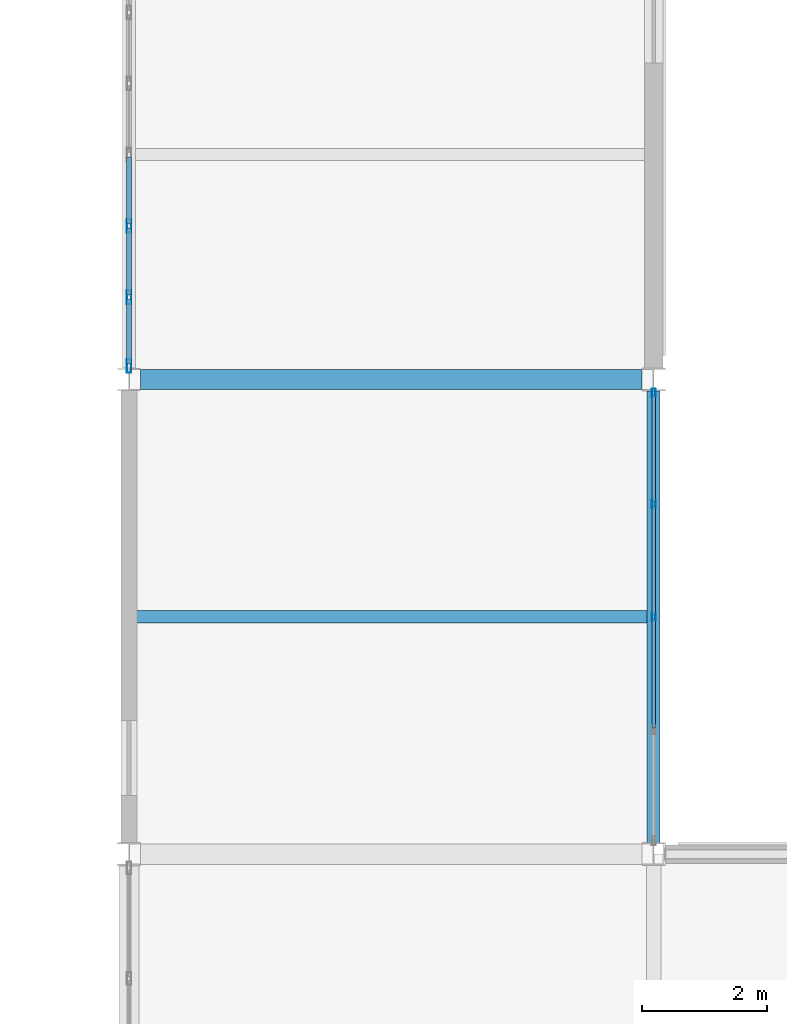
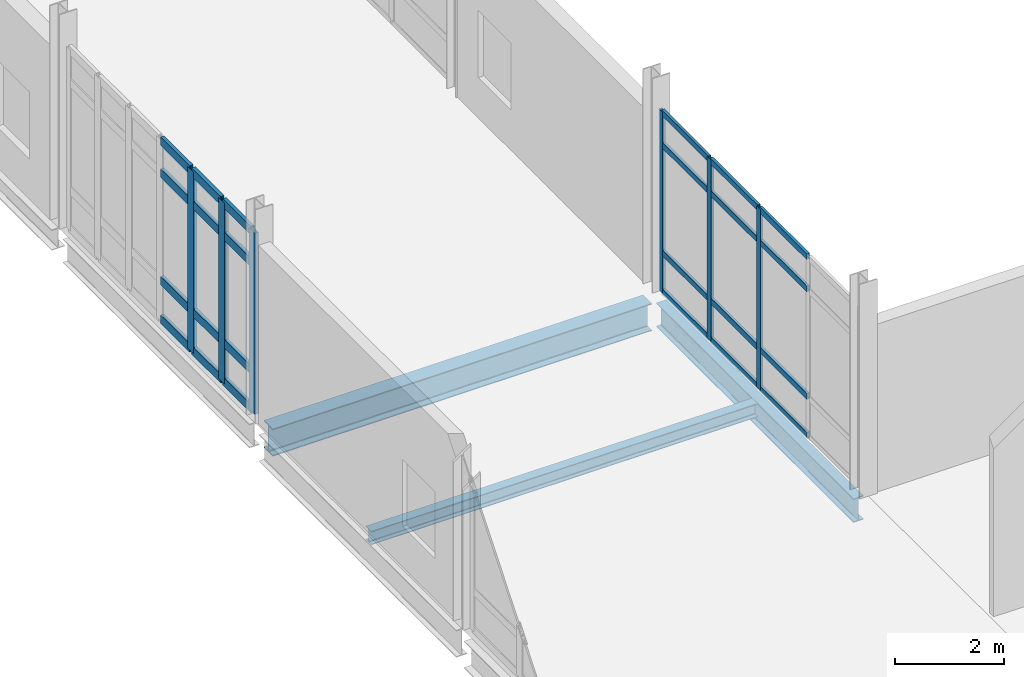
# One storey, part 76 of 186: 30 members, 3 beams, 2 elements without a shape of their own.
"""IFC4 building model written with IfcOpenShell, lengths in metres."""

from ifc_helpers import new_model, si_unit, direction, frame, origin, origin_2d, place, context, subcontext, project, spatial, hollow_rectangle, i_section, extrude, material, layer, layer_set, material_profile, profile_set, type_object, element, aggregate, save


model = new_model("IFC4")

# Units and contexts
model_context = context("Model", 3, precision=1e-05, world=origin(), true_north=direction((0.0, 1.0)))
body_context = subcontext(model_context, "Body", "Model", "MODEL_VIEW")
ifc_project = project(units=[si_unit("LENGTHUNIT", "METRE"), si_unit("AREAUNIT", "SQUARE_METRE"), si_unit("VOLUMEUNIT", "CUBIC_METRE"), si_unit("PLANEANGLEUNIT", "RADIAN"), si_unit("MASSUNIT", "GRAM", prefix="KILO")], contexts=[model_context])

# Site, building, storey
site_placement = place(None, origin())
site = spatial("IfcSite", under=ifc_project, at=site_placement, CompositionType="ELEMENT")
building_placement = place(site_placement, origin())
building = spatial("IfcBuilding", under=site, at=building_placement, Name="Calvrana Isthmian Art Gallery", CompositionType="ELEMENT")
storey_placement = place(building_placement, frame((0.0, 0.0, 5.39990234375)))
storey = spatial("IfcBuildingStorey", under=building, at=storey_placement, Name="L01", CompositionType="ELEMENT", Elevation=5.39990234375)

# Beams
ifc_material_1 = material(Name="Steel ASTM A992 Gr 50", Category="steel")
ifc_material_profile_1 = material_profile(ifc_material_1, i_section(OverallWidth=0.208984375, OverallDepth=0.532958984375, WebThickness=0.01025390625, FlangeThickness=0.015625, FilletRadius=0.02099609375, at=origin_2d()), Name="W21X62")
ifc_profile_set_1 = profile_set([ifc_material_profile_1], Name="Steel ASTM A992 Gr 50")
beam_type_1 = type_object("IfcBeamType", Name="BM-G-W21X62", PredefinedType="BEAM", material=ifc_profile_set_1)
beam_1_placement = place(storey_placement, frame((63.60009765625, 62.181396484375, -0.511474609375), z_axis=(0.0, 1.0, 0.0), x_axis=(-1.0, 0.0, 0.0)))
element("IfcBeam", 1, at=beam_1_placement, inside=storey, type_object=beam_type_1, Name="Girder Y L01 09/I-J", PredefinedType="BEAM", context=body_context, shape_type="SweptSolid", body=[
    extrude(i_section(OverallWidth=0.208984375, OverallDepth=0.532958984375, WebThickness=0.01025390625, FlangeThickness=0.015625, FilletRadius=0.02099609375, at=origin_2d()), origin(), (0.0, 0.0, 1.0), 7.234619140625),
])
ifc_material_profile_2 = material_profile(ifc_material_1, i_section(OverallWidth=0.324951171875, OverallDepth=0.612060546875, WebThickness=0.0126953125, FlangeThickness=0.01904296875, FilletRadius=0.02197265625, at=origin_2d()), Name="W24X104")
ifc_profile_set_2 = profile_set([ifc_material_profile_2], Name="Steel ASTM A992 Gr 50")
beam_type_2 = type_object("IfcBeamType", Name="BM-G-W24X104", PredefinedType="BEAM", material=ifc_profile_set_2)
beam_2_placement = place(storey_placement, frame((55.386474609375, 69.60009765625, -0.55078125), z_axis=(1.0, 0.0, 0.0), x_axis=(0.0, 1.0, 0.0)))
element("IfcBeam", 2, at=beam_2_placement, inside=storey, type_object=beam_type_2, Name="Girder X L01 08-09/J", PredefinedType="BEAM", context=body_context, shape_type="SweptSolid", body=[
    extrude(i_section(OverallWidth=0.324951171875, OverallDepth=0.612060546875, WebThickness=0.0126953125, FlangeThickness=0.01904296875, FilletRadius=0.02197265625, at=origin_2d()), origin(), (0.0, 0.0, 1.0), 8.027099609375),
])
ifc_material_profile_3 = material_profile(ifc_material_1, i_section(OverallWidth=0.202880859375, OverallDepth=0.302001953125, WebThickness=0.007568359375, FlangeThickness=0.01318359375, FilletRadius=0.01611328125, at=origin_2d()), Name="W12X40")
ifc_profile_set_3 = profile_set([ifc_material_profile_3], Name="Steel ASTM A992 Gr 50")
beam_type_3 = type_object("IfcBeamType", Name="BM-J-W12X40", PredefinedType="JOIST", material=ifc_profile_set_3)
beam_3_placement = place(storey_placement, frame((55.31396484375, 65.800048828125, -0.39599609375), z_axis=(1.0, 0.0, 0.0), x_axis=(0.0, 1.0, 0.0)))
element("IfcBeam", 3, at=beam_3_placement, inside=storey, type_object=beam_type_3, Name="Composite joist L01 bay 07-08", PredefinedType="JOIST", context=body_context, shape_type="SweptSolid", body=[
    extrude(i_section(OverallWidth=0.202880859375, OverallDepth=0.302001953125, WebThickness=0.007568359375, FlangeThickness=0.01318359375, FilletRadius=0.01611328125, at=origin_2d()), origin(), (0.0, 0.0, 1.0), 8.181640625),
])

# Curtain wall, members
ifc_material_2 = material(Name="Anodized bronze aluminium 6063-T6", Category="aluminium")
ifc_layer_1 = layer(ifc_material_2, 0.179931640625, Name="Anodized bronze aluminium 6063-T6")
ifc_layer_set_1 = layer_set([ifc_layer_1], Name="Anodized bronze aluminium 6063-T6")
curtain_wall_type_1 = type_object("IfcCurtainWallType", Name="CW-STICK-072X41", PredefinedType="NOTDEFINED", material=ifc_layer_set_1)
curtain_wall_1_placement = place(storey_placement, origin())
curtain_wall_1 = element("IfcCurtainWall", 4, at=curtain_wall_1_placement, inside=storey, type_object=curtain_wall_type_1, Name="Curtain wall CW-126", PredefinedType="NOTDEFINED")
ifc_material_profile_4 = material_profile(ifc_material_2, hollow_rectangle(XDim=0.06005859375, YDim=0.139892578125, WallThickness=0.00390625, at=origin_2d()), Name="CWM60X140")
ifc_profile_set_4 = profile_set([ifc_material_profile_4], Name="Anodized bronze aluminium 6063-T6")
member_type_1 = type_object("IfcMemberType", Name="CWM-CWM60X140", PredefinedType="MULLION", material=ifc_profile_set_4)
member_1_placement = place(storey_placement, frame((63.60009765625, 69.383544921875, 0.0), z_axis=(0.0, 0.0, 1.0), x_axis=(1.0, 0.0, 0.0)))
member_1 = element("IfcMember", 5, at=member_1_placement, type_object=member_type_1, Name="CW-126 mullion 1", PredefinedType="MULLION", context=body_context, shape_type="SweptSolid", body=[
    extrude(hollow_rectangle(XDim=0.06005859375, YDim=0.139892578125, WallThickness=0.00390625, at=origin_2d()), origin(), (0.0, 0.0, 1.0), 4.05810546875),
])
member_2_placement = place(storey_placement, frame((63.60009765625, 67.606201171875, 0.0), z_axis=(0.0, 0.0, 1.0), x_axis=(1.0, 0.0, 0.0)))
member_2 = element("IfcMember", 6, at=member_2_placement, type_object=member_type_1, Name="CW-126 mullion 2", PredefinedType="MULLION", context=body_context, shape_type="SweptSolid", body=[
    extrude(hollow_rectangle(XDim=0.06005859375, YDim=0.139892578125, WallThickness=0.00390625, at=origin_2d()), origin(), (0.0, 0.0, 1.0), 4.05810546875),
])
member_3_placement = place(storey_placement, frame((63.60009765625, 65.798828125, 0.0), z_axis=(0.0, 0.0, 1.0), x_axis=(1.0, 0.0, 0.0)))
member_3 = element("IfcMember", 7, at=member_3_placement, type_object=member_type_1, Name="CW-126 mullion 3", PredefinedType="MULLION", context=body_context, shape_type="SweptSolid", body=[
    extrude(hollow_rectangle(XDim=0.06005859375, YDim=0.139892578125, WallThickness=0.00390625, at=origin_2d()), origin(), (0.0, 0.0, 1.0), 4.05810546875),
])

ifc_layer_2 = layer(ifc_material_2, 0.179931640625, Name="Anodized bronze aluminium 6063-T6")
ifc_layer_set_2 = layer_set([ifc_layer_2], Name="Anodized bronze aluminium 6063-T6")
curtain_wall_type_2 = type_object("IfcCurtainWallType", Name="CW-STICK-068X41", PredefinedType="NOTDEFINED", material=ifc_layer_set_2)
curtain_wall_2_placement = place(storey_placement, origin())
curtain_wall_2 = element("IfcCurtainWall", 8, at=curtain_wall_2_placement, inside=storey, type_object=curtain_wall_type_2, Name="Curtain wall CW-124", PredefinedType="NOTDEFINED")
ifc_material_profile_5 = material_profile(ifc_material_2, hollow_rectangle(XDim=0.074951171875, YDim=0.219970703125, WallThickness=0.0048828125, at=origin_2d()), Name="CWM75X220")
ifc_profile_set_5 = profile_set([ifc_material_profile_5], Name="Anodized bronze aluminium 6063-T6")
member_type_2 = type_object("IfcMemberType", Name="CWM-CWM75X220", PredefinedType="MULLION", material=ifc_profile_set_5)
member_4_placement = place(storey_placement, frame((55.199951171875, 69.8154296875, 0.0), z_axis=(0.0, 0.0, 1.0), x_axis=(-1.0, 0.0, 0.0)))
member_4 = element("IfcMember", 9, at=member_4_placement, type_object=member_type_2, Name="CW-124 mullion 1", PredefinedType="MULLION", context=body_context, shape_type="SweptSolid", body=[
    extrude(hollow_rectangle(XDim=0.074951171875, YDim=0.219970703125, WallThickness=0.0048828125, at=origin_2d()), origin(), (0.0, 0.0, 1.0), 4.05810546875),
])
member_5_placement = place(storey_placement, frame((55.199951171875, 70.91796875, 0.0), z_axis=(0.0, 0.0, 1.0), x_axis=(-1.0, 0.0, 0.0)))
member_5 = element("IfcMember", 10, at=member_5_placement, type_object=member_type_2, Name="CW-124 mullion 2", PredefinedType="MULLION", context=body_context, shape_type="SweptSolid", body=[
    extrude(hollow_rectangle(XDim=0.074951171875, YDim=0.219970703125, WallThickness=0.0048828125, at=origin_2d()), origin(), (0.0, 0.0, 1.0), 4.05810546875),
])
member_6_placement = place(storey_placement, frame((55.199951171875, 72.05810546875, 0.0), z_axis=(0.0, 0.0, 1.0), x_axis=(-1.0, 0.0, 0.0)))
member_6 = element("IfcMember", 11, at=member_6_placement, type_object=member_type_2, Name="CW-124 mullion 3", PredefinedType="MULLION", context=body_context, shape_type="SweptSolid", body=[
    extrude(hollow_rectangle(XDim=0.074951171875, YDim=0.219970703125, WallThickness=0.0048828125, at=origin_2d()), origin(), (0.0, 0.0, 1.0), 4.05810546875),
])

# Member
ifc_material_profile_6 = material_profile(ifc_material_2, hollow_rectangle(XDim=0.06005859375, YDim=0.1298828125, WallThickness=0.00390625, at=origin_2d()), Name="CWT60X130")
ifc_profile_set_6 = profile_set([ifc_material_profile_6], Name="Anodized bronze aluminium 6063-T6")
member_type_3 = type_object("IfcMemberType", Name="CWT-CWT60X130", PredefinedType="USERDEFINED", material=ifc_profile_set_6)
member_7_placement = place(storey_placement, frame((63.60009765625, 69.353515625, 0.030029296875), z_axis=(0.0, -1.0, 0.0), x_axis=(1.0, 0.0, 0.0)))
member_7 = element("IfcMember", 12, at=member_7_placement, type_object=member_type_3, Name="CW-126 transom 1.1", ObjectType="TRANSOM", PredefinedType="USERDEFINED", context=body_context, shape_type="SweptSolid", body=[
    extrude(hollow_rectangle(XDim=0.06005859375, YDim=0.1298828125, WallThickness=0.00390625, at=origin_2d()), origin(), (0.0, 0.0, 1.0), 1.71728515625),
])

member_8_placement = place(storey_placement, frame((63.60009765625, 69.353515625, 0.900146484375), z_axis=(0.0, -1.0, 0.0), x_axis=(1.0, 0.0, 0.0)))
member_8 = element("IfcMember", 13, at=member_8_placement, type_object=member_type_3, Name="CW-126 transom 1.2", ObjectType="TRANSOM", PredefinedType="USERDEFINED", context=body_context, shape_type="SweptSolid", body=[
    extrude(hollow_rectangle(XDim=0.06005859375, YDim=0.1298828125, WallThickness=0.00390625, at=origin_2d()), origin(), (0.0, 0.0, 1.0), 1.71728515625),
])

member_9_placement = place(storey_placement, frame((63.60009765625, 69.353515625, 3.30810546875), z_axis=(0.0, -1.0, 0.0), x_axis=(1.0, 0.0, 0.0)))
member_9 = element("IfcMember", 14, at=member_9_placement, type_object=member_type_3, Name="CW-126 transom 1.3", ObjectType="TRANSOM", PredefinedType="USERDEFINED", context=body_context, shape_type="SweptSolid", body=[
    extrude(hollow_rectangle(XDim=0.06005859375, YDim=0.1298828125, WallThickness=0.00390625, at=origin_2d()), origin(), (0.0, 0.0, 1.0), 1.71728515625),
])

member_10_placement = place(storey_placement, frame((63.60009765625, 69.353515625, 4.028076171875), z_axis=(0.0, -1.0, 0.0), x_axis=(1.0, 0.0, 0.0)))
member_10 = element("IfcMember", 15, at=member_10_placement, type_object=member_type_3, Name="CW-126 transom 1.4", ObjectType="TRANSOM", PredefinedType="USERDEFINED", context=body_context, shape_type="SweptSolid", body=[
    extrude(hollow_rectangle(XDim=0.06005859375, YDim=0.1298828125, WallThickness=0.00390625, at=origin_2d()), origin(), (0.0, 0.0, 1.0), 1.71728515625),
])

member_11_placement = place(storey_placement, frame((63.60009765625, 67.576171875, 0.030029296875), z_axis=(0.0, -1.0, 0.0), x_axis=(1.0, 0.0, 0.0)))
member_11 = element("IfcMember", 16, at=member_11_placement, type_object=member_type_3, Name="CW-126 transom 2.1", ObjectType="TRANSOM", PredefinedType="USERDEFINED", context=body_context, shape_type="SweptSolid", body=[
    extrude(hollow_rectangle(XDim=0.06005859375, YDim=0.1298828125, WallThickness=0.00390625, at=origin_2d()), origin(), (0.0, 0.0, 1.0), 1.747314453125),
])

member_12_placement = place(storey_placement, frame((63.60009765625, 67.576171875, 0.900146484375), z_axis=(0.0, -1.0, 0.0), x_axis=(1.0, 0.0, 0.0)))
member_12 = element("IfcMember", 17, at=member_12_placement, type_object=member_type_3, Name="CW-126 transom 2.2", ObjectType="TRANSOM", PredefinedType="USERDEFINED", context=body_context, shape_type="SweptSolid", body=[
    extrude(hollow_rectangle(XDim=0.06005859375, YDim=0.1298828125, WallThickness=0.00390625, at=origin_2d()), origin(), (0.0, 0.0, 1.0), 1.747314453125),
])

member_13_placement = place(storey_placement, frame((63.60009765625, 67.576171875, 3.30810546875), z_axis=(0.0, -1.0, 0.0), x_axis=(1.0, 0.0, 0.0)))
member_13 = element("IfcMember", 18, at=member_13_placement, type_object=member_type_3, Name="CW-126 transom 2.3", ObjectType="TRANSOM", PredefinedType="USERDEFINED", context=body_context, shape_type="SweptSolid", body=[
    extrude(hollow_rectangle(XDim=0.06005859375, YDim=0.1298828125, WallThickness=0.00390625, at=origin_2d()), origin(), (0.0, 0.0, 1.0), 1.747314453125),
])

member_14_placement = place(storey_placement, frame((63.60009765625, 67.576171875, 4.028076171875), z_axis=(0.0, -1.0, 0.0), x_axis=(1.0, 0.0, 0.0)))
member_14 = element("IfcMember", 19, at=member_14_placement, type_object=member_type_3, Name="CW-126 transom 2.4", ObjectType="TRANSOM", PredefinedType="USERDEFINED", context=body_context, shape_type="SweptSolid", body=[
    extrude(hollow_rectangle(XDim=0.06005859375, YDim=0.1298828125, WallThickness=0.00390625, at=origin_2d()), origin(), (0.0, 0.0, 1.0), 1.747314453125),
])

member_15_placement = place(storey_placement, frame((63.60009765625, 65.768798828125, 0.030029296875), z_axis=(0.0, -1.0, 0.0), x_axis=(1.0, 0.0, 0.0)))
member_15 = element("IfcMember", 20, at=member_15_placement, type_object=member_type_3, Name="CW-126 transom 3.1", ObjectType="TRANSOM", PredefinedType="USERDEFINED", context=body_context, shape_type="SweptSolid", body=[
    extrude(hollow_rectangle(XDim=0.06005859375, YDim=0.1298828125, WallThickness=0.00390625, at=origin_2d()), origin(), (0.0, 0.0, 1.0), 1.747314453125),
])

member_16_placement = place(storey_placement, frame((63.60009765625, 65.768798828125, 0.900146484375), z_axis=(0.0, -1.0, 0.0), x_axis=(1.0, 0.0, 0.0)))
member_16 = element("IfcMember", 21, at=member_16_placement, type_object=member_type_3, Name="CW-126 transom 3.2", ObjectType="TRANSOM", PredefinedType="USERDEFINED", context=body_context, shape_type="SweptSolid", body=[
    extrude(hollow_rectangle(XDim=0.06005859375, YDim=0.1298828125, WallThickness=0.00390625, at=origin_2d()), origin(), (0.0, 0.0, 1.0), 1.747314453125),
])

member_17_placement = place(storey_placement, frame((63.60009765625, 65.768798828125, 3.30810546875), z_axis=(0.0, -1.0, 0.0), x_axis=(1.0, 0.0, 0.0)))
member_17 = element("IfcMember", 22, at=member_17_placement, type_object=member_type_3, Name="CW-126 transom 3.3", ObjectType="TRANSOM", PredefinedType="USERDEFINED", context=body_context, shape_type="SweptSolid", body=[
    extrude(hollow_rectangle(XDim=0.06005859375, YDim=0.1298828125, WallThickness=0.00390625, at=origin_2d()), origin(), (0.0, 0.0, 1.0), 1.747314453125),
])

member_18_placement = place(storey_placement, frame((63.60009765625, 65.768798828125, 4.028076171875), z_axis=(0.0, -1.0, 0.0), x_axis=(1.0, 0.0, 0.0)))
member_18 = element("IfcMember", 23, at=member_18_placement, type_object=member_type_3, Name="CW-126 transom 3.4", ObjectType="TRANSOM", PredefinedType="USERDEFINED", context=body_context, shape_type="SweptSolid", body=[
    extrude(hollow_rectangle(XDim=0.06005859375, YDim=0.1298828125, WallThickness=0.00390625, at=origin_2d()), origin(), (0.0, 0.0, 1.0), 1.747314453125),
])

aggregate(curtain_wall_1, [member_1, member_2, member_3, member_7, member_8, member_9, member_10, member_11, member_12, member_13, member_14, member_15, member_16, member_17, member_18])

ifc_material_profile_7 = material_profile(ifc_material_2, hollow_rectangle(XDim=0.074951171875, YDim=0.18994140625, WallThickness=0.00439453125, at=origin_2d()), Name="CWT75X190")
ifc_profile_set_7 = profile_set([ifc_material_profile_7], Name="Anodized bronze aluminium 6063-T6")
member_type_4 = type_object("IfcMemberType", Name="CWT-CWT75X190", PredefinedType="USERDEFINED", material=ifc_profile_set_7)
member_19_placement = place(storey_placement, frame((55.199951171875, 69.85302734375, 0.03759765625), z_axis=(0.0, 1.0, 0.0), x_axis=(-1.0, 0.0, 0.0)))
member_19 = element("IfcMember", 24, at=member_19_placement, type_object=member_type_4, Name="CW-124 transom 1.1", ObjectType="TRANSOM", PredefinedType="USERDEFINED", context=body_context, shape_type="SweptSolid", body=[
    extrude(hollow_rectangle(XDim=0.074951171875, YDim=0.18994140625, WallThickness=0.00439453125, at=origin_2d()), origin(), (0.0, 0.0, 1.0), 1.027587890625),
])

member_20_placement = place(storey_placement, frame((55.199951171875, 69.85302734375, 0.900146484375), z_axis=(0.0, 1.0, 0.0), x_axis=(-1.0, 0.0, 0.0)))
member_20 = element("IfcMember", 25, at=member_20_placement, type_object=member_type_4, Name="CW-124 transom 1.2", ObjectType="TRANSOM", PredefinedType="USERDEFINED", context=body_context, shape_type="SweptSolid", body=[
    extrude(hollow_rectangle(XDim=0.074951171875, YDim=0.18994140625, WallThickness=0.00439453125, at=origin_2d()), origin(), (0.0, 0.0, 1.0), 1.027587890625),
])

member_21_placement = place(storey_placement, frame((55.199951171875, 69.85302734375, 3.30810546875), z_axis=(0.0, 1.0, 0.0), x_axis=(-1.0, 0.0, 0.0)))
member_21 = element("IfcMember", 26, at=member_21_placement, type_object=member_type_4, Name="CW-124 transom 1.3", ObjectType="TRANSOM", PredefinedType="USERDEFINED", context=body_context, shape_type="SweptSolid", body=[
    extrude(hollow_rectangle(XDim=0.074951171875, YDim=0.18994140625, WallThickness=0.00439453125, at=origin_2d()), origin(), (0.0, 0.0, 1.0), 1.027587890625),
])

member_22_placement = place(storey_placement, frame((55.199951171875, 69.85302734375, 4.0205078125), z_axis=(0.0, 1.0, 0.0), x_axis=(-1.0, 0.0, 0.0)))
member_22 = element("IfcMember", 27, at=member_22_placement, type_object=member_type_4, Name="CW-124 transom 1.4", ObjectType="TRANSOM", PredefinedType="USERDEFINED", context=body_context, shape_type="SweptSolid", body=[
    extrude(hollow_rectangle(XDim=0.074951171875, YDim=0.18994140625, WallThickness=0.00439453125, at=origin_2d()), origin(), (0.0, 0.0, 1.0), 1.027587890625),
])

member_23_placement = place(storey_placement, frame((55.199951171875, 70.95556640625, 0.03759765625), z_axis=(0.0, 1.0, 0.0), x_axis=(-1.0, 0.0, 0.0)))
member_23 = element("IfcMember", 28, at=member_23_placement, type_object=member_type_4, Name="CW-124 transom 2.1", ObjectType="TRANSOM", PredefinedType="USERDEFINED", context=body_context, shape_type="SweptSolid", body=[
    extrude(hollow_rectangle(XDim=0.074951171875, YDim=0.18994140625, WallThickness=0.00439453125, at=origin_2d()), origin(), (0.0, 0.0, 1.0), 1.065185546875),
])

member_24_placement = place(storey_placement, frame((55.199951171875, 70.95556640625, 0.900146484375), z_axis=(0.0, 1.0, 0.0), x_axis=(-1.0, 0.0, 0.0)))
member_24 = element("IfcMember", 29, at=member_24_placement, type_object=member_type_4, Name="CW-124 transom 2.2", ObjectType="TRANSOM", PredefinedType="USERDEFINED", context=body_context, shape_type="SweptSolid", body=[
    extrude(hollow_rectangle(XDim=0.074951171875, YDim=0.18994140625, WallThickness=0.00439453125, at=origin_2d()), origin(), (0.0, 0.0, 1.0), 1.065185546875),
])

member_25_placement = place(storey_placement, frame((55.199951171875, 70.95556640625, 3.30810546875), z_axis=(0.0, 1.0, 0.0), x_axis=(-1.0, 0.0, 0.0)))
member_25 = element("IfcMember", 30, at=member_25_placement, type_object=member_type_4, Name="CW-124 transom 2.3", ObjectType="TRANSOM", PredefinedType="USERDEFINED", context=body_context, shape_type="SweptSolid", body=[
    extrude(hollow_rectangle(XDim=0.074951171875, YDim=0.18994140625, WallThickness=0.00439453125, at=origin_2d()), origin(), (0.0, 0.0, 1.0), 1.065185546875),
])

member_26_placement = place(storey_placement, frame((55.199951171875, 70.95556640625, 4.0205078125), z_axis=(0.0, 1.0, 0.0), x_axis=(-1.0, 0.0, 0.0)))
member_26 = element("IfcMember", 31, at=member_26_placement, type_object=member_type_4, Name="CW-124 transom 2.4", ObjectType="TRANSOM", PredefinedType="USERDEFINED", context=body_context, shape_type="SweptSolid", body=[
    extrude(hollow_rectangle(XDim=0.074951171875, YDim=0.18994140625, WallThickness=0.00439453125, at=origin_2d()), origin(), (0.0, 0.0, 1.0), 1.065185546875),
])

member_27_placement = place(storey_placement, frame((55.199951171875, 72.095703125, 0.03759765625), z_axis=(0.0, 1.0, 0.0), x_axis=(-1.0, 0.0, 0.0)))
member_27 = element("IfcMember", 32, at=member_27_placement, type_object=member_type_4, Name="CW-124 transom 3.1", ObjectType="TRANSOM", PredefinedType="USERDEFINED", context=body_context, shape_type="SweptSolid", body=[
    extrude(hollow_rectangle(XDim=0.074951171875, YDim=0.18994140625, WallThickness=0.00439453125, at=origin_2d()), origin(), (0.0, 0.0, 1.0), 1.06494140625),
])

member_28_placement = place(storey_placement, frame((55.199951171875, 72.095703125, 0.900146484375), z_axis=(0.0, 1.0, 0.0), x_axis=(-1.0, 0.0, 0.0)))
member_28 = element("IfcMember", 33, at=member_28_placement, type_object=member_type_4, Name="CW-124 transom 3.2", ObjectType="TRANSOM", PredefinedType="USERDEFINED", context=body_context, shape_type="SweptSolid", body=[
    extrude(hollow_rectangle(XDim=0.074951171875, YDim=0.18994140625, WallThickness=0.00439453125, at=origin_2d()), origin(), (0.0, 0.0, 1.0), 1.06494140625),
])

member_29_placement = place(storey_placement, frame((55.199951171875, 72.095703125, 3.30810546875), z_axis=(0.0, 1.0, 0.0), x_axis=(-1.0, 0.0, 0.0)))
member_29 = element("IfcMember", 34, at=member_29_placement, type_object=member_type_4, Name="CW-124 transom 3.3", ObjectType="TRANSOM", PredefinedType="USERDEFINED", context=body_context, shape_type="SweptSolid", body=[
    extrude(hollow_rectangle(XDim=0.074951171875, YDim=0.18994140625, WallThickness=0.00439453125, at=origin_2d()), origin(), (0.0, 0.0, 1.0), 1.06494140625),
])

member_30_placement = place(storey_placement, frame((55.199951171875, 72.095703125, 4.0205078125), z_axis=(0.0, 1.0, 0.0), x_axis=(-1.0, 0.0, 0.0)))
member_30 = element("IfcMember", 35, at=member_30_placement, type_object=member_type_4, Name="CW-124 transom 3.4", ObjectType="TRANSOM", PredefinedType="USERDEFINED", context=body_context, shape_type="SweptSolid", body=[
    extrude(hollow_rectangle(XDim=0.074951171875, YDim=0.18994140625, WallThickness=0.00439453125, at=origin_2d()), origin(), (0.0, 0.0, 1.0), 1.06494140625),
])

aggregate(curtain_wall_2, [member_4, member_5, member_6, member_19, member_20, member_21, member_22, member_23, member_24, member_25, member_26, member_27, member_28, member_29, member_30])

save(model, "model.ifc")
